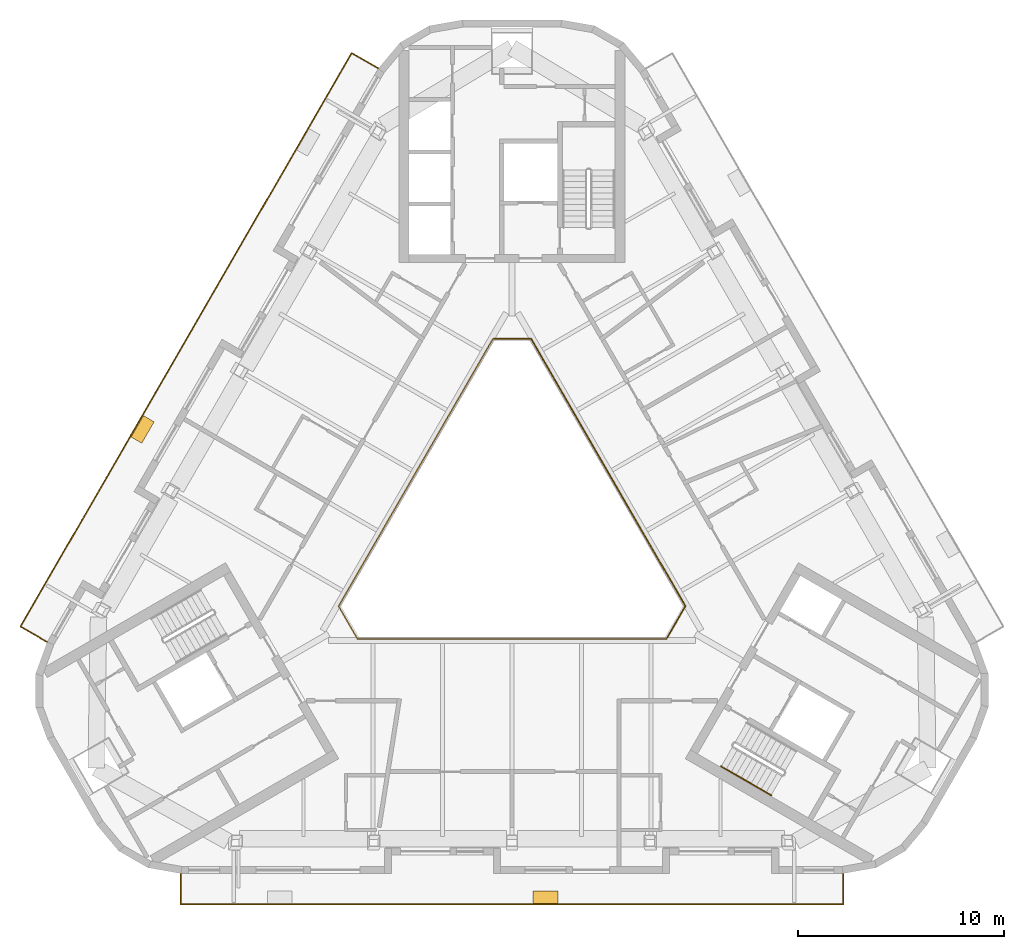
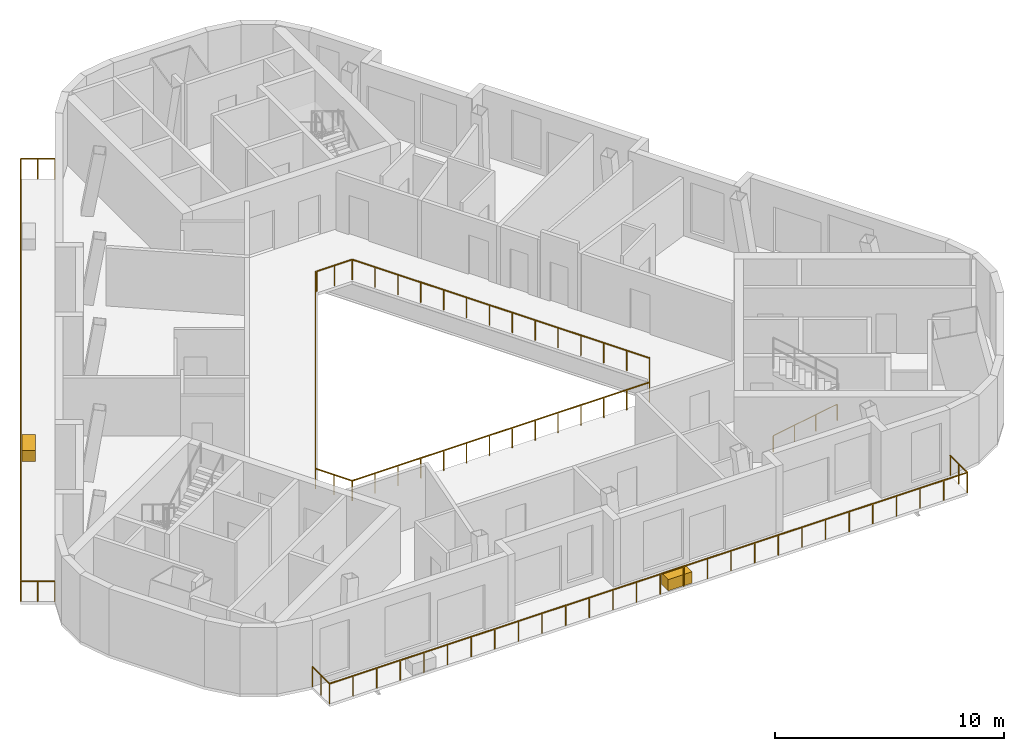
# One storey, part 9 of 11: 5 railings, 2 coverings.
"""IFC4 building model written with IfcOpenShell, lengths in metres."""

import ifcopenshell
import ifcopenshell.guid

model = None  # the IFC model being written
_history = None  # IfcOwnerHistory: only IFC2X3 demands one
_inside = {}  # id of a spatial element -> (the spatial element, [elements in it])
_under = {}  # id of a project, library or spatial element -> (it, [spatial elements below it])
_declared = {}  # id of a project -> (the project, [libraries it declares])
_typed = {}  # id of a type object -> (the type object, [elements of that type])
_made_of = {}  # id of a material, layer set ... -> (it, [elements and type objects made of it])


def new_model(schema):
    """Start an empty IFC model of exactly this schema.

    Asked for "IFC4X3", IfcOpenShell would pick the latest addendum, in which some entities
    have other attributes; the version numbers below select the first issue.
    IFC2X3 requires an IfcOwnerHistory on every rooted entity: one is made here for all.
    """
    global model, _history
    if schema == "IFC4X3":
        model = ifcopenshell.file(schema_version=(4, 3, 0, 0))
    else:
        model = ifcopenshell.file(schema=schema)
    _inside.clear()
    _under.clear()
    _declared.clear()
    _typed.clear()
    _made_of.clear()
    _history = None
    if model.schema == "IFC2X3":
        org = make("IfcOrganization", Name="unknown")
        user = make(
            "IfcPersonAndOrganization",
            ThePerson=make("IfcPerson", FamilyName="unknown"),
            TheOrganization=org,
        )
        app = make(
            "IfcApplication",
            ApplicationDeveloper=org,
            Version="unknown",
            ApplicationFullName="unknown",
            ApplicationIdentifier="unknown",
        )
        _history = make(
            "IfcOwnerHistory",
            OwningUser=user,
            OwningApplication=app,
            ChangeAction="ADDED",
            CreationDate=0,
        )
    return model


def make(cls, **values):
    """One entity of the class cls with the attributes given. An attribute that is None is left unset."""
    return model.create_entity(
        cls, **{name: value for name, value in values.items() if value is not None}
    )


def rooted(cls, **values):
    """An entity with a GlobalId (a new one), such as an element, a storey or a relation."""
    return make(cls, GlobalId=ifcopenshell.guid.new(), OwnerHistory=_history, **values)


def si_unit(unit_type, name, prefix=None):
    """IfcSIUnit, for example si_unit("LENGTHUNIT", "METRE", prefix="MILLI")."""
    return make("IfcSIUnit", UnitType=unit_type, Prefix=prefix, Name=name)


def assignment(units):
    """IfcUnitAssignment: the units of a project."""
    return None if units is None else make("IfcUnitAssignment", Units=units)


def point(xyz):
    """IfcCartesianPoint."""
    return None if xyz is None else make("IfcCartesianPoint", Coordinates=xyz)


def direction(xyz):
    """IfcDirection."""
    return None if xyz is None else make("IfcDirection", DirectionRatios=xyz)


def frame(location, z_axis=None, x_axis=None):
    """IfcAxis2Placement3D, a coordinate frame: its origin and axes. An axis left out is left unset."""
    return make(
        "IfcAxis2Placement3D",
        Location=point(location),
        Axis=direction(z_axis),
        RefDirection=direction(x_axis),
    )


def frame_2d(location, x_axis=None):
    """IfcAxis2Placement2D, a coordinate frame in the plane: its origin and x axis."""
    return make(
        "IfcAxis2Placement2D", Location=point(location), RefDirection=direction(x_axis)
    )


def origin():
    """The frame at (0, 0, 0) with its axes left unset."""
    return frame((0.0, 0.0, 0.0))


def origin_2d():
    """The frame at (0, 0) in the plane with its x axis left unset."""
    return frame_2d((0.0, 0.0))


def place(relative_to, where):
    """IfcLocalPlacement: puts the frame where relative to a parent placement (None: the world)."""
    return make(
        "IfcLocalPlacement", PlacementRelTo=relative_to, RelativePlacement=where
    )


def context(
    kind, dimensions, precision=None, world=None, true_north=None, identifier=None
):
    """IfcGeometricRepresentationContext, for example the 3D "Model" context."""
    return make(
        "IfcGeometricRepresentationContext",
        ContextIdentifier=identifier,
        ContextType=kind,
        CoordinateSpaceDimension=dimensions,
        Precision=precision,
        WorldCoordinateSystem=world,
        TrueNorth=true_north,
    )


def subcontext(parent, identifier, kind, view, scale=None):
    """IfcGeometricRepresentationSubContext, for example "Body" below "Model"."""
    return make(
        "IfcGeometricRepresentationSubContext",
        ContextIdentifier=identifier,
        ContextType=kind,
        ParentContext=parent,
        TargetScale=scale,
        TargetView=view,
    )


def project(units=None, contexts=None):
    """IfcProject with its units and contexts."""
    return rooted(
        "IfcProject",
        Name="project",
        RepresentationContexts=contexts,
        UnitsInContext=assignment(units),
    )


def spatial(cls, under=None, at=None, **own):
    """A site, building, storey or space (cls), placed at a placement, below another one or the project."""
    s = rooted(cls, ObjectPlacement=at, **own)
    if under is not None:
        _under.setdefault(under.id(), (under, []))[1].append(s)
    return s


def profile(cls, at=None, kind="AREA", **sizes):
    """A parametric profile (cls). Its sizes go by their IFC names, for example OverallWidth=200.0."""
    return make(cls, ProfileType=kind, Position=at, **sizes)


def rectangle(**sizes):
    """IfcRectangleProfileDef."""
    return profile("IfcRectangleProfileDef", **sizes)


def circle(**sizes):
    """IfcCircleProfileDef."""
    return profile("IfcCircleProfileDef", **sizes)


def extrude(swept, where, along, depth):
    """IfcExtrudedAreaSolid: the profile swept, set in the frame where, extruded along a direction by depth."""
    return make(
        "IfcExtrudedAreaSolid",
        SweptArea=swept,
        Position=where,
        ExtrudedDirection=direction(along),
        Depth=depth,
    )


def shape(context_of_items, identifier, shape_type, items):
    """IfcShapeRepresentation: the items that make up one representation, for example the "Body"."""
    return make(
        "IfcShapeRepresentation",
        ContextOfItems=context_of_items,
        RepresentationIdentifier=identifier,
        RepresentationType=shape_type,
        Items=items,
    )


def material(Name=None, Category=None):
    """IfcMaterial."""
    return make("IfcMaterial", Name=Name, Category=Category)


def made_of(thing, what):
    """Note that an element or type object is made of a material, layer set ...; save() writes the relation."""
    if what is not None:
        _made_of.setdefault(what.id(), (what, []))[1].append(thing)
    return thing


def type_object(cls, material=None, **own):
    """A type object (cls), such as IfcWallType, which elements share."""
    return made_of(rooted(cls, **own), material)


def element(
    cls,
    number,
    at=None,
    inside=None,
    cuts=None,
    type_object=None,
    material=None,
    context=None,
    identifier="Body",
    shape_type=None,
    held_by="IfcProductDefinitionShape",
    body=None,
    shapes=None,
    **own,
):
    """One element of the class cls, such as IfcWall. Its Tag is "e" and its number.

    at: its placement. inside: the storey or other place that contains it. cuts: it is an
    opening in that element (IfcRelVoidsElement). A single representation is given by context,
    identifier, shape_type and body (its items); several are given by shapes. held_by: the class
    of the entity that holds the representations. save() writes the other relations.
    """
    e = rooted(cls, Tag="e%d" % number, ObjectPlacement=at, **own)
    if body is not None:
        shapes = [shape(context, identifier, shape_type, body)]
    if shapes is not None:
        e.Representation = make(held_by, Representations=shapes)
    if inside is not None:
        _inside.setdefault(inside.id(), (inside, []))[1].append(e)
    if cuts is not None:
        rooted(
            "IfcRelVoidsElement", RelatingBuildingElement=cuts, RelatedOpeningElement=e
        )
    if type_object is not None:
        _typed.setdefault(type_object.id(), (type_object, []))[1].append(e)
    return made_of(e, material)


def aggregate(whole, parts):
    """IfcRelAggregates: a whole, such as a stair, and the parts it consists of."""
    return rooted("IfcRelAggregates", RelatingObject=whole, RelatedObjects=parts)


def save(model, path):
    """Write the relations noted so far, then the file.

    IfcRelAggregates (storeys below a building ...), IfcRelContainedInSpatialStructure (elements
    in a storey), IfcRelDefinesByType, IfcRelAssociatesMaterial and IfcRelDeclares: one each for
    every whole, place, type object, material and project.
    """
    for whole, parts in _under.values():
        aggregate(whole, parts)
    for where, things in _inside.values():
        rooted(
            "IfcRelContainedInSpatialStructure",
            RelatedElements=things,
            RelatingStructure=where,
        )
    for kind, things in _typed.values():
        rooted("IfcRelDefinesByType", RelatedObjects=things, RelatingType=kind)
    for what, things in _made_of.values():
        rooted("IfcRelAssociatesMaterial", RelatedObjects=things, RelatingMaterial=what)
    for by, libraries in _declared.values():
        rooted("IfcRelDeclares", RelatingContext=by, RelatedDefinitions=libraries)
    model.write(path)


model = new_model("IFC4")

# Units and contexts
model_context = context("Model", 3, precision=1e-05, world=origin(), true_north=direction((0.0, 1.0)))
body_context = subcontext(model_context, "Body", "Model", "MODEL_VIEW")
ifc_project = project(units=[si_unit("LENGTHUNIT", "METRE"), si_unit("AREAUNIT", "SQUARE_METRE"), si_unit("VOLUMEUNIT", "CUBIC_METRE"), si_unit("PLANEANGLEUNIT", "RADIAN"), si_unit("MASSUNIT", "GRAM", prefix="KILO")], contexts=[model_context])

# Site, building, storey
site_placement = place(None, origin())
site = spatial("IfcSite", under=ifc_project, at=site_placement, CompositionType="ELEMENT")
building_placement = place(site_placement, origin())
building = spatial("IfcBuilding", under=site, at=building_placement, Name="Apuvela Tower Hotel", CompositionType="ELEMENT")
storey_placement = place(building_placement, frame((0.0, 0.0, 309.60009765625)))
storey = spatial("IfcBuildingStorey", under=building, at=storey_placement, Name="L77", CompositionType="ELEMENT", Elevation=309.60009765625)

# Railings
ifc_material_1 = material(Name="Stainless steel 316 handrail", Category="steel")
railing_type_1 = type_object("IfcRailingType", Name="COR-HANDRAIL-900", PredefinedType="HANDRAIL", material=ifc_material_1)
railing_1_placement = place(storey_placement, frame((10.1689453125, -11.5869140625, 0.16796875)))
element("IfcRailing", 1, at=railing_1_placement, inside=storey, type_object=railing_type_1, Name="L77 ST3 stair handrail 1", PredefinedType="HANDRAIL", context=body_context, shape_type="SweptSolid", body=[
    extrude(circle(Radius=0.02392578125, at=origin_2d()), frame((0.0, 0.0, 0.8759765625), z_axis=(0.742390482028, -0.42860119049, 0.514934356695), x_axis=(0.49998411664, 0.866034573852, 0.0)), (0.0, 0.0, 1.0), 3.26611328125),
    extrude(rectangle(XDim=0.0419921875, YDim=0.0419921875, at=origin_2d()), origin(), (0.0, 0.0, 1.0), 0.851806640625),
    extrude(rectangle(XDim=0.0419921875, YDim=0.0419921875, at=origin_2d()), frame((0.808349609375, -0.466552734375, 0.560546875)), (0.0, 0.0, 1.0), 0.851806640625),
    extrude(rectangle(XDim=0.0419921875, YDim=0.0419921875, at=origin_2d()), frame((1.616455078125, -0.933349609375, 1.121337890625)), (0.0, 0.0, 1.0), 0.851806640625),
    extrude(rectangle(XDim=0.0419921875, YDim=0.0419921875, at=origin_2d()), frame((2.4248046875, -1.39990234375, 1.681884765625)), (0.0, 0.0, 1.0), 0.851806640625),
])
ifc_material_2 = material(Name="Stainless steel 316 rail with laminated glass infill", Category="steel")
railing_type_2 = type_object("IfcRailingType", Name="ENV-GUARD-1100", PredefinedType="GUARDRAIL", material=ifc_material_2)
railing_2_placement = place(storey_placement, frame((-16.097900390625, -16.794677734375, 0.0)))
element("IfcRailing", 2, at=railing_2_placement, inside=storey, type_object=railing_type_2, Name="Balcony guard S L77", PredefinedType="GUARDRAIL", context=body_context, shape_type="SweptSolid", body=[
    extrude(rectangle(XDim=0.050048828125, YDim=0.050048828125, at=origin_2d()), frame((0.0, 0.0, 1.0751953125), z_axis=(0.0, -1.0, 0.0), x_axis=(1.0, 0.0, 0.0)), (0.0, 0.0, 1.0), 1.5),
    extrude(rectangle(XDim=0.050048828125, YDim=0.050048828125, at=origin_2d()), frame((0.0, -1.5, 1.0751953125), z_axis=(1.0, 0.0, 0.0), x_axis=(0.0, 1.0, 0.0)), (0.0, 0.0, 1.0), 32.19580078125),
    extrude(rectangle(XDim=0.050048828125, YDim=0.050048828125, at=origin_2d()), frame((32.19580078125, -1.5, 1.0751953125), z_axis=(0.0, 1.0, 0.0), x_axis=(-1.0, 0.0, 0.0)), (0.0, 0.0, 1.0), 1.5),
    extrude(rectangle(XDim=0.0400390625, YDim=0.0400390625, at=origin_2d()), origin(), (0.0, 0.0, 1.0), 1.050048828125),
    extrude(rectangle(XDim=0.0400390625, YDim=0.0400390625, at=origin_2d()), frame((0.0, -0.75, 0.0)), (0.0, 0.0, 1.0), 1.050048828125),
    extrude(rectangle(XDim=0.0400390625, YDim=0.0400390625, at=origin_2d()), frame((0.0, -1.5, 0.0)), (0.0, 0.0, 1.0), 1.050048828125),
    extrude(rectangle(XDim=0.0400390625, YDim=0.0400390625, at=origin_2d()), frame((1.1923828125, -1.5, 0.0)), (0.0, 0.0, 1.0), 1.050048828125),
    extrude(rectangle(XDim=0.0400390625, YDim=0.0400390625, at=origin_2d()), frame((2.384765625, -1.5, 0.0)), (0.0, 0.0, 1.0), 1.050048828125),
    extrude(rectangle(XDim=0.0400390625, YDim=0.0400390625, at=origin_2d()), frame((3.577392578125, -1.5, 0.0)), (0.0, 0.0, 1.0), 1.050048828125),
    extrude(rectangle(XDim=0.0400390625, YDim=0.0400390625, at=origin_2d()), frame((4.769775390625, -1.5, 0.0)), (0.0, 0.0, 1.0), 1.050048828125),
    extrude(rectangle(XDim=0.0400390625, YDim=0.0400390625, at=origin_2d()), frame((5.962158203125, -1.5, 0.0)), (0.0, 0.0, 1.0), 1.050048828125),
    extrude(rectangle(XDim=0.0400390625, YDim=0.0400390625, at=origin_2d()), frame((7.154541015625, -1.5, 0.0)), (0.0, 0.0, 1.0), 1.050048828125),
    extrude(rectangle(XDim=0.0400390625, YDim=0.0400390625, at=origin_2d()), frame((8.34716796875, -1.5, 0.0)), (0.0, 0.0, 1.0), 1.050048828125),
    extrude(rectangle(XDim=0.0400390625, YDim=0.0400390625, at=origin_2d()), frame((9.53955078125, -1.5, 0.0)), (0.0, 0.0, 1.0), 1.050048828125),
    extrude(rectangle(XDim=0.0400390625, YDim=0.0400390625, at=origin_2d()), frame((10.73193359375, -1.5, 0.0)), (0.0, 0.0, 1.0), 1.050048828125),
    extrude(rectangle(XDim=0.0400390625, YDim=0.0400390625, at=origin_2d()), frame((11.92431640625, -1.5, 0.0)), (0.0, 0.0, 1.0), 1.050048828125),
    extrude(rectangle(XDim=0.0400390625, YDim=0.0400390625, at=origin_2d()), frame((13.11669921875, -1.5, 0.0)), (0.0, 0.0, 1.0), 1.050048828125),
    extrude(rectangle(XDim=0.0400390625, YDim=0.0400390625, at=origin_2d()), frame((14.309326171875, -1.5, 0.0)), (0.0, 0.0, 1.0), 1.050048828125),
    extrude(rectangle(XDim=0.0400390625, YDim=0.0400390625, at=origin_2d()), frame((15.501708984375, -1.5, 0.0)), (0.0, 0.0, 1.0), 1.050048828125),
    extrude(rectangle(XDim=0.0400390625, YDim=0.0400390625, at=origin_2d()), frame((16.694091796875, -1.5, 0.0)), (0.0, 0.0, 1.0), 1.050048828125),
    extrude(rectangle(XDim=0.0400390625, YDim=0.0400390625, at=origin_2d()), frame((17.886474609375, -1.5, 0.0)), (0.0, 0.0, 1.0), 1.050048828125),
    extrude(rectangle(XDim=0.0400390625, YDim=0.0400390625, at=origin_2d()), frame((19.0791015625, -1.5, 0.0)), (0.0, 0.0, 1.0), 1.050048828125),
    extrude(rectangle(XDim=0.0400390625, YDim=0.0400390625, at=origin_2d()), frame((20.271484375, -1.5, 0.0)), (0.0, 0.0, 1.0), 1.050048828125),
    extrude(rectangle(XDim=0.0400390625, YDim=0.0400390625, at=origin_2d()), frame((21.4638671875, -1.5, 0.0)), (0.0, 0.0, 1.0), 1.050048828125),
    extrude(rectangle(XDim=0.0400390625, YDim=0.0400390625, at=origin_2d()), frame((22.65625, -1.5, 0.0)), (0.0, 0.0, 1.0), 1.050048828125),
    extrude(rectangle(XDim=0.0400390625, YDim=0.0400390625, at=origin_2d()), frame((23.8486328125, -1.5, 0.0)), (0.0, 0.0, 1.0), 1.050048828125),
    extrude(rectangle(XDim=0.0400390625, YDim=0.0400390625, at=origin_2d()), frame((25.041259765625, -1.5, 0.0)), (0.0, 0.0, 1.0), 1.050048828125),
    extrude(rectangle(XDim=0.0400390625, YDim=0.0400390625, at=origin_2d()), frame((26.233642578125, -1.5, 0.0)), (0.0, 0.0, 1.0), 1.050048828125),
    extrude(rectangle(XDim=0.0400390625, YDim=0.0400390625, at=origin_2d()), frame((27.426025390625, -1.5, 0.0)), (0.0, 0.0, 1.0), 1.050048828125),
    extrude(rectangle(XDim=0.0400390625, YDim=0.0400390625, at=origin_2d()), frame((28.618408203125, -1.5, 0.0)), (0.0, 0.0, 1.0), 1.050048828125),
    extrude(rectangle(XDim=0.0400390625, YDim=0.0400390625, at=origin_2d()), frame((29.81103515625, -1.5, 0.0)), (0.0, 0.0, 1.0), 1.050048828125),
    extrude(rectangle(XDim=0.0400390625, YDim=0.0400390625, at=origin_2d()), frame((31.00341796875, -1.5, 0.0)), (0.0, 0.0, 1.0), 1.050048828125),
    extrude(rectangle(XDim=0.0400390625, YDim=0.0400390625, at=origin_2d()), frame((32.19580078125, -1.5, 0.0)), (0.0, 0.0, 1.0), 1.050048828125),
    extrude(rectangle(XDim=0.0400390625, YDim=0.0400390625, at=origin_2d()), frame((32.19580078125, -0.75, 0.0)), (0.0, 0.0, 1.0), 1.050048828125),
    extrude(rectangle(XDim=0.0400390625, YDim=0.0400390625, at=origin_2d()), frame((32.19580078125, 0.0, 0.0)), (0.0, 0.0, 1.0), 1.050048828125),
])
railing_3_placement = place(storey_placement, frame((-6.49560546875, 22.338623046875, 0.0)))
element("IfcRailing", 3, at=railing_3_placement, inside=storey, type_object=railing_type_2, Name="Balcony guard NW L77", PredefinedType="GUARDRAIL", context=body_context, shape_type="SweptSolid", body=[
    extrude(rectangle(XDim=0.050048828125, YDim=0.050048828125, at=origin_2d()), frame((0.0, 0.0, 1.0751953125), z_axis=(-0.86599040064, 0.500060622324, 0.0), x_axis=(-0.500060622324, -0.86599040064, 0.0)), (0.0, 0.0, 1.0), 1.499755859375),
    extrude(rectangle(XDim=0.050048828125, YDim=0.050048828125, at=origin_2d()), frame((-1.298828125, 0.75, 1.0751953125), z_axis=(-0.500003172353, -0.866023572218, 0.0), x_axis=(0.866023572218, -0.500003172353, 0.0)), (0.0, 0.0, 1.0), 32.196044921875),
    extrude(rectangle(XDim=0.050048828125, YDim=0.050048828125, at=origin_2d()), frame((-17.39697265625, -27.132568359375, 1.0751953125), z_axis=(0.866031096941, -0.499990139034, 0.0), x_axis=(0.499990139034, 0.866031096941, 0.0)), (0.0, 0.0, 1.0), 1.5),
    extrude(rectangle(XDim=0.0400390625, YDim=0.0400390625, at=origin_2d()), origin(), (0.0, 0.0, 1.0), 1.050048828125),
    extrude(rectangle(XDim=0.0400390625, YDim=0.0400390625, at=origin_2d()), frame((-0.6494140625, 0.375, 0.0)), (0.0, 0.0, 1.0), 1.050048828125),
    extrude(rectangle(XDim=0.0400390625, YDim=0.0400390625, at=origin_2d()), frame((-1.298828125, 0.75, 0.0)), (0.0, 0.0, 1.0), 1.050048828125),
    extrude(rectangle(XDim=0.0400390625, YDim=0.0400390625, at=origin_2d()), frame((-1.89501953125, -0.28271484375, 0.0)), (0.0, 0.0, 1.0), 1.050048828125),
    extrude(rectangle(XDim=0.0400390625, YDim=0.0400390625, at=origin_2d()), frame((-2.4912109375, -1.3154296875, 0.0)), (0.0, 0.0, 1.0), 1.050048828125),
    extrude(rectangle(XDim=0.0400390625, YDim=0.0400390625, at=origin_2d()), frame((-3.08740234375, -2.34814453125, 0.0)), (0.0, 0.0, 1.0), 1.050048828125),
    extrude(rectangle(XDim=0.0400390625, YDim=0.0400390625, at=origin_2d()), frame((-3.683837890625, -3.380859375, 0.0)), (0.0, 0.0, 1.0), 1.050048828125),
    extrude(rectangle(XDim=0.0400390625, YDim=0.0400390625, at=origin_2d()), frame((-4.280029296875, -4.413330078125, 0.0)), (0.0, 0.0, 1.0), 1.050048828125),
    extrude(rectangle(XDim=0.0400390625, YDim=0.0400390625, at=origin_2d()), frame((-4.876220703125, -5.446044921875, 0.0)), (0.0, 0.0, 1.0), 1.050048828125),
    extrude(rectangle(XDim=0.0400390625, YDim=0.0400390625, at=origin_2d()), frame((-5.472412109375, -6.478759765625, 0.0)), (0.0, 0.0, 1.0), 1.050048828125),
    extrude(rectangle(XDim=0.0400390625, YDim=0.0400390625, at=origin_2d()), frame((-6.068603515625, -7.511474609375, 0.0)), (0.0, 0.0, 1.0), 1.050048828125),
    extrude(rectangle(XDim=0.0400390625, YDim=0.0400390625, at=origin_2d()), frame((-6.664794921875, -8.544189453125, 0.0)), (0.0, 0.0, 1.0), 1.050048828125),
    extrude(rectangle(XDim=0.0400390625, YDim=0.0400390625, at=origin_2d()), frame((-7.260986328125, -9.576904296875, 0.0)), (0.0, 0.0, 1.0), 1.050048828125),
    extrude(rectangle(XDim=0.0400390625, YDim=0.0400390625, at=origin_2d()), frame((-7.857421875, -10.609619140625, 0.0)), (0.0, 0.0, 1.0), 1.050048828125),
    extrude(rectangle(XDim=0.0400390625, YDim=0.0400390625, at=origin_2d()), frame((-8.45361328125, -11.642333984375, 0.0)), (0.0, 0.0, 1.0), 1.050048828125),
    extrude(rectangle(XDim=0.0400390625, YDim=0.0400390625, at=origin_2d()), frame((-9.0498046875, -12.675048828125, 0.0)), (0.0, 0.0, 1.0), 1.050048828125),
    extrude(rectangle(XDim=0.0400390625, YDim=0.0400390625, at=origin_2d()), frame((-9.64599609375, -13.70751953125, 0.0)), (0.0, 0.0, 1.0), 1.050048828125),
    extrude(rectangle(XDim=0.0400390625, YDim=0.0400390625, at=origin_2d()), frame((-10.2421875, -14.740234375, 0.0)), (0.0, 0.0, 1.0), 1.050048828125),
    extrude(rectangle(XDim=0.0400390625, YDim=0.0400390625, at=origin_2d()), frame((-10.83837890625, -15.77294921875, 0.0)), (0.0, 0.0, 1.0), 1.050048828125),
    extrude(rectangle(XDim=0.0400390625, YDim=0.0400390625, at=origin_2d()), frame((-11.434814453125, -16.8056640625, 0.0)), (0.0, 0.0, 1.0), 1.050048828125),
    extrude(rectangle(XDim=0.0400390625, YDim=0.0400390625, at=origin_2d()), frame((-12.031005859375, -17.83837890625, 0.0)), (0.0, 0.0, 1.0), 1.050048828125),
    extrude(rectangle(XDim=0.0400390625, YDim=0.0400390625, at=origin_2d()), frame((-12.627197265625, -18.87109375, 0.0)), (0.0, 0.0, 1.0), 1.050048828125),
    extrude(rectangle(XDim=0.0400390625, YDim=0.0400390625, at=origin_2d()), frame((-13.223388671875, -19.90380859375, 0.0)), (0.0, 0.0, 1.0), 1.050048828125),
    extrude(rectangle(XDim=0.0400390625, YDim=0.0400390625, at=origin_2d()), frame((-13.819580078125, -20.9365234375, 0.0)), (0.0, 0.0, 1.0), 1.050048828125),
    extrude(rectangle(XDim=0.0400390625, YDim=0.0400390625, at=origin_2d()), frame((-14.415771484375, -21.96923828125, 0.0)), (0.0, 0.0, 1.0), 1.050048828125),
    extrude(rectangle(XDim=0.0400390625, YDim=0.0400390625, at=origin_2d()), frame((-15.011962890625, -23.001708984375, 0.0)), (0.0, 0.0, 1.0), 1.050048828125),
    extrude(rectangle(XDim=0.0400390625, YDim=0.0400390625, at=origin_2d()), frame((-15.6083984375, -24.034423828125, 0.0)), (0.0, 0.0, 1.0), 1.050048828125),
    extrude(rectangle(XDim=0.0400390625, YDim=0.0400390625, at=origin_2d()), frame((-16.20458984375, -25.067138671875, 0.0)), (0.0, 0.0, 1.0), 1.050048828125),
    extrude(rectangle(XDim=0.0400390625, YDim=0.0400390625, at=origin_2d()), frame((-16.80078125, -26.099853515625, 0.0)), (0.0, 0.0, 1.0), 1.050048828125),
    extrude(rectangle(XDim=0.0400390625, YDim=0.0400390625, at=origin_2d()), frame((-17.39697265625, -27.132568359375, 0.0)), (0.0, 0.0, 1.0), 1.050048828125),
    extrude(rectangle(XDim=0.0400390625, YDim=0.0400390625, at=origin_2d()), frame((-16.74755859375, -27.507568359375, 0.0)), (0.0, 0.0, 1.0), 1.050048828125),
    extrude(rectangle(XDim=0.0400390625, YDim=0.0400390625, at=origin_2d()), frame((-16.097900390625, -27.882568359375, 0.0)), (0.0, 0.0, 1.0), 1.050048828125),
])
railing_4_placement = place(storey_placement, frame((-0.923828125, 9.199951171875, 0.0)))
element("IfcRailing", 4, at=railing_4_placement, inside=storey, type_object=railing_type_2, Name="Atrium void guard A L77", PredefinedType="GUARDRAIL", context=body_context, shape_type="SweptSolid", body=[
    extrude(rectangle(XDim=0.050048828125, YDim=0.050048828125, at=origin_2d()), frame((0.0, 0.0, 1.0751953125), z_axis=(-0.499990886379, -0.866030665472, 0.0), x_axis=(0.866030665472, -0.499990886379, 0.0)), (0.0, 0.0, 1.0), 15.010986328125),
    extrude(rectangle(XDim=0.050048828125, YDim=0.050048828125, at=origin_2d()), frame((-7.50537109375, -13.0, 1.0751953125), z_axis=(0.499962699187, -0.866046938348, 0.0), x_axis=(0.866046938348, 0.499962699187, 0.0)), (0.0, 0.0, 1.0), 1.847412109375),
    extrude(rectangle(XDim=0.050048828125, YDim=0.050048828125, at=origin_2d()), frame((-6.581787109375, -14.599853515625, 1.0751953125), z_axis=(1.0, 0.0, 0.0), x_axis=(0.0, 1.0, 0.0)), (0.0, 0.0, 1.0), 15.01123046875),
    extrude(rectangle(XDim=0.0400390625, YDim=0.0400390625, at=origin_2d()), origin(), (0.0, 0.0, 1.0), 1.050048828125),
    extrude(rectangle(XDim=0.0400390625, YDim=0.0400390625, at=origin_2d()), frame((-0.577392578125, -1.0, 0.0)), (0.0, 0.0, 1.0), 1.050048828125),
    extrude(rectangle(XDim=0.0400390625, YDim=0.0400390625, at=origin_2d()), frame((-1.15478515625, -2.0, 0.0)), (0.0, 0.0, 1.0), 1.050048828125),
    extrude(rectangle(XDim=0.0400390625, YDim=0.0400390625, at=origin_2d()), frame((-1.73193359375, -3.0, 0.0)), (0.0, 0.0, 1.0), 1.050048828125),
    extrude(rectangle(XDim=0.0400390625, YDim=0.0400390625, at=origin_2d()), frame((-2.309326171875, -4.0, 0.0)), (0.0, 0.0, 1.0), 1.050048828125),
    extrude(rectangle(XDim=0.0400390625, YDim=0.0400390625, at=origin_2d()), frame((-2.88671875, -5.0, 0.0)), (0.0, 0.0, 1.0), 1.050048828125),
    extrude(rectangle(XDim=0.0400390625, YDim=0.0400390625, at=origin_2d()), frame((-3.464111328125, -6.0, 0.0)), (0.0, 0.0, 1.0), 1.050048828125),
    extrude(rectangle(XDim=0.0400390625, YDim=0.0400390625, at=origin_2d()), frame((-4.041259765625, -7.0, 0.0)), (0.0, 0.0, 1.0), 1.050048828125),
    extrude(rectangle(XDim=0.0400390625, YDim=0.0400390625, at=origin_2d()), frame((-4.61865234375, -8.0, 0.0)), (0.0, 0.0, 1.0), 1.050048828125),
    extrude(rectangle(XDim=0.0400390625, YDim=0.0400390625, at=origin_2d()), frame((-5.196044921875, -9.0, 0.0)), (0.0, 0.0, 1.0), 1.050048828125),
    extrude(rectangle(XDim=0.0400390625, YDim=0.0400390625, at=origin_2d()), frame((-5.7734375, -10.0, 0.0)), (0.0, 0.0, 1.0), 1.050048828125),
    extrude(rectangle(XDim=0.0400390625, YDim=0.0400390625, at=origin_2d()), frame((-6.3505859375, -11.0, 0.0)), (0.0, 0.0, 1.0), 1.050048828125),
    extrude(rectangle(XDim=0.0400390625, YDim=0.0400390625, at=origin_2d()), frame((-6.927978515625, -12.0, 0.0)), (0.0, 0.0, 1.0), 1.050048828125),
    extrude(rectangle(XDim=0.0400390625, YDim=0.0400390625, at=origin_2d()), frame((-7.50537109375, -13.0, 0.0)), (0.0, 0.0, 1.0), 1.050048828125),
    extrude(rectangle(XDim=0.0400390625, YDim=0.0400390625, at=origin_2d()), frame((-7.04345703125, -13.7998046875, 0.0)), (0.0, 0.0, 1.0), 1.050048828125),
    extrude(rectangle(XDim=0.0400390625, YDim=0.0400390625, at=origin_2d()), frame((-6.581787109375, -14.599853515625, 0.0)), (0.0, 0.0, 1.0), 1.050048828125),
    extrude(rectangle(XDim=0.0400390625, YDim=0.0400390625, at=origin_2d()), frame((-5.427001953125, -14.599853515625, 0.0)), (0.0, 0.0, 1.0), 1.050048828125),
    extrude(rectangle(XDim=0.0400390625, YDim=0.0400390625, at=origin_2d()), frame((-4.2724609375, -14.599853515625, 0.0)), (0.0, 0.0, 1.0), 1.050048828125),
    extrude(rectangle(XDim=0.0400390625, YDim=0.0400390625, at=origin_2d()), frame((-3.11767578125, -14.599853515625, 0.0)), (0.0, 0.0, 1.0), 1.050048828125),
    extrude(rectangle(XDim=0.0400390625, YDim=0.0400390625, at=origin_2d()), frame((-1.962890625, -14.599853515625, 0.0)), (0.0, 0.0, 1.0), 1.050048828125),
    extrude(rectangle(XDim=0.0400390625, YDim=0.0400390625, at=origin_2d()), frame((-0.808349609375, -14.599853515625, 0.0)), (0.0, 0.0, 1.0), 1.050048828125),
    extrude(rectangle(XDim=0.0400390625, YDim=0.0400390625, at=origin_2d()), frame((0.346435546875, -14.599853515625, 0.0)), (0.0, 0.0, 1.0), 1.050048828125),
    extrude(rectangle(XDim=0.0400390625, YDim=0.0400390625, at=origin_2d()), frame((1.501220703125, -14.599853515625, 0.0)), (0.0, 0.0, 1.0), 1.050048828125),
    extrude(rectangle(XDim=0.0400390625, YDim=0.0400390625, at=origin_2d()), frame((2.656005859375, -14.599853515625, 0.0)), (0.0, 0.0, 1.0), 1.050048828125),
    extrude(rectangle(XDim=0.0400390625, YDim=0.0400390625, at=origin_2d()), frame((3.810546875, -14.599853515625, 0.0)), (0.0, 0.0, 1.0), 1.050048828125),
    extrude(rectangle(XDim=0.0400390625, YDim=0.0400390625, at=origin_2d()), frame((4.96533203125, -14.599853515625, 0.0)), (0.0, 0.0, 1.0), 1.050048828125),
    extrude(rectangle(XDim=0.0400390625, YDim=0.0400390625, at=origin_2d()), frame((6.1201171875, -14.599853515625, 0.0)), (0.0, 0.0, 1.0), 1.050048828125),
    extrude(rectangle(XDim=0.0400390625, YDim=0.0400390625, at=origin_2d()), frame((7.274658203125, -14.599853515625, 0.0)), (0.0, 0.0, 1.0), 1.050048828125),
    extrude(rectangle(XDim=0.0400390625, YDim=0.0400390625, at=origin_2d()), frame((8.429443359375, -14.599853515625, 0.0)), (0.0, 0.0, 1.0), 1.050048828125),
])
railing_5_placement = place(storey_placement, frame((7.53564453125, -5.347900390625, 0.0)))
element("IfcRailing", 5, at=railing_5_placement, inside=storey, type_object=railing_type_2, Name="Atrium void guard B L77", PredefinedType="GUARDRAIL", context=body_context, shape_type="SweptSolid", body=[
    extrude(rectangle(XDim=0.050048828125, YDim=0.050048828125, at=origin_2d()), frame((0.0, 0.0, 1.0751953125), z_axis=(0.499958946799, 0.866049104564, 0.0), x_axis=(-0.866049104564, 0.499958946799, 0.0)), (0.0, 0.0, 1.0), 1.787353515625),
    extrude(rectangle(XDim=0.050048828125, YDim=0.050048828125, at=origin_2d()), frame((0.8935546875, 1.5478515625, 1.0751953125), z_axis=(-0.499990886379, 0.866030665472, 0.0), x_axis=(-0.866030665472, -0.499990886379, 0.0)), (0.0, 0.0, 1.0), 15.010986328125),
    extrude(rectangle(XDim=0.050048828125, YDim=0.050048828125, at=origin_2d()), frame((-6.61181640625, 14.5478515625, 1.0751953125), z_axis=(-1.0, 0.0, 0.0), x_axis=(0.0, -1.0, 0.0)), (0.0, 0.0, 1.0), 1.78759765625),
    extrude(rectangle(XDim=0.0400390625, YDim=0.0400390625, at=origin_2d()), origin(), (0.0, 0.0, 1.0), 1.050048828125),
    extrude(rectangle(XDim=0.0400390625, YDim=0.0400390625, at=origin_2d()), frame((0.44677734375, 0.77392578125, 0.0)), (0.0, 0.0, 1.0), 1.050048828125),
    extrude(rectangle(XDim=0.0400390625, YDim=0.0400390625, at=origin_2d()), frame((0.8935546875, 1.5478515625, 0.0)), (0.0, 0.0, 1.0), 1.050048828125),
    extrude(rectangle(XDim=0.0400390625, YDim=0.0400390625, at=origin_2d()), frame((0.316162109375, 2.5478515625, 0.0)), (0.0, 0.0, 1.0), 1.050048828125),
    extrude(rectangle(XDim=0.0400390625, YDim=0.0400390625, at=origin_2d()), frame((-0.26123046875, 3.5478515625, 0.0)), (0.0, 0.0, 1.0), 1.050048828125),
    extrude(rectangle(XDim=0.0400390625, YDim=0.0400390625, at=origin_2d()), frame((-0.83837890625, 4.5478515625, 0.0)), (0.0, 0.0, 1.0), 1.050048828125),
    extrude(rectangle(XDim=0.0400390625, YDim=0.0400390625, at=origin_2d()), frame((-1.415771484375, 5.5478515625, 0.0)), (0.0, 0.0, 1.0), 1.050048828125),
    extrude(rectangle(XDim=0.0400390625, YDim=0.0400390625, at=origin_2d()), frame((-1.9931640625, 6.5478515625, 0.0)), (0.0, 0.0, 1.0), 1.050048828125),
    extrude(rectangle(XDim=0.0400390625, YDim=0.0400390625, at=origin_2d()), frame((-2.570556640625, 7.5478515625, 0.0)), (0.0, 0.0, 1.0), 1.050048828125),
    extrude(rectangle(XDim=0.0400390625, YDim=0.0400390625, at=origin_2d()), frame((-3.147705078125, 8.5478515625, 0.0)), (0.0, 0.0, 1.0), 1.050048828125),
    extrude(rectangle(XDim=0.0400390625, YDim=0.0400390625, at=origin_2d()), frame((-3.72509765625, 9.5478515625, 0.0)), (0.0, 0.0, 1.0), 1.050048828125),
    extrude(rectangle(XDim=0.0400390625, YDim=0.0400390625, at=origin_2d()), frame((-4.302490234375, 10.5478515625, 0.0)), (0.0, 0.0, 1.0), 1.050048828125),
    extrude(rectangle(XDim=0.0400390625, YDim=0.0400390625, at=origin_2d()), frame((-4.8798828125, 11.5478515625, 0.0)), (0.0, 0.0, 1.0), 1.050048828125),
    extrude(rectangle(XDim=0.0400390625, YDim=0.0400390625, at=origin_2d()), frame((-5.45703125, 12.5478515625, 0.0)), (0.0, 0.0, 1.0), 1.050048828125),
    extrude(rectangle(XDim=0.0400390625, YDim=0.0400390625, at=origin_2d()), frame((-6.034423828125, 13.5478515625, 0.0)), (0.0, 0.0, 1.0), 1.050048828125),
    extrude(rectangle(XDim=0.0400390625, YDim=0.0400390625, at=origin_2d()), frame((-6.61181640625, 14.5478515625, 0.0)), (0.0, 0.0, 1.0), 1.050048828125),
    extrude(rectangle(XDim=0.0400390625, YDim=0.0400390625, at=origin_2d()), frame((-7.505615234375, 14.5478515625, 0.0)), (0.0, 0.0, 1.0), 1.050048828125),
    extrude(rectangle(XDim=0.0400390625, YDim=0.0400390625, at=origin_2d()), frame((-8.3994140625, 14.5478515625, 0.0)), (0.0, 0.0, 1.0), 1.050048828125),
])

# Coverings
ifc_material_3 = material(Name="Planting substrate and soil, planted")
covering_type = type_object("IfcCoveringType", Name="ENV-PLANTER-1200x600", PredefinedType="USERDEFINED", material=ifc_material_3)
for number, where, z_axis, x_axis, name in (
    (6, (1.62841796875, -17.944580078125, -0.000244140625), (0.0, 0.0, 1.0), (1.0, 0.0, 0.0), "Planter S2"),
    (7, (-17.955078125, 4.789794921875, -0.000244140625), (0.0, 0.0, 1.0), (-0.5, -0.866025403784, 0.0), "Planter NW6"),
):
    element("IfcCovering", number, at=place(storey_placement, frame(where, z_axis=z_axis, x_axis=x_axis)), inside=storey, type_object=covering_type, Name=name, ObjectType="PLANTER", PredefinedType="USERDEFINED", context=body_context, shape_type="SweptSolid", body=[
        extrude(rectangle(XDim=1.199951171875, YDim=0.60009765625, at=origin_2d()), origin(), (0.0, 0.0, 1.0), 0.60009765625),
    ])

save(model, "model.ifc")
